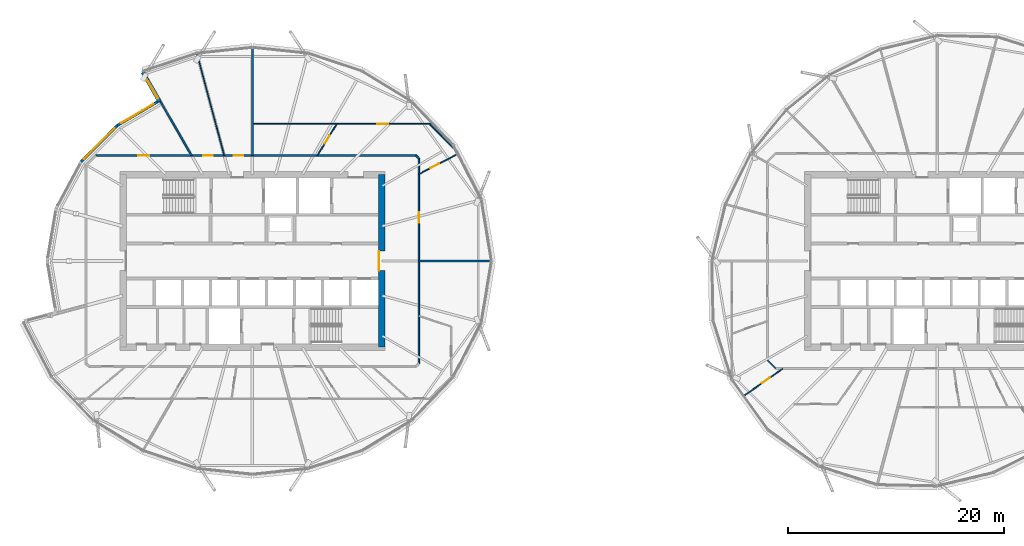
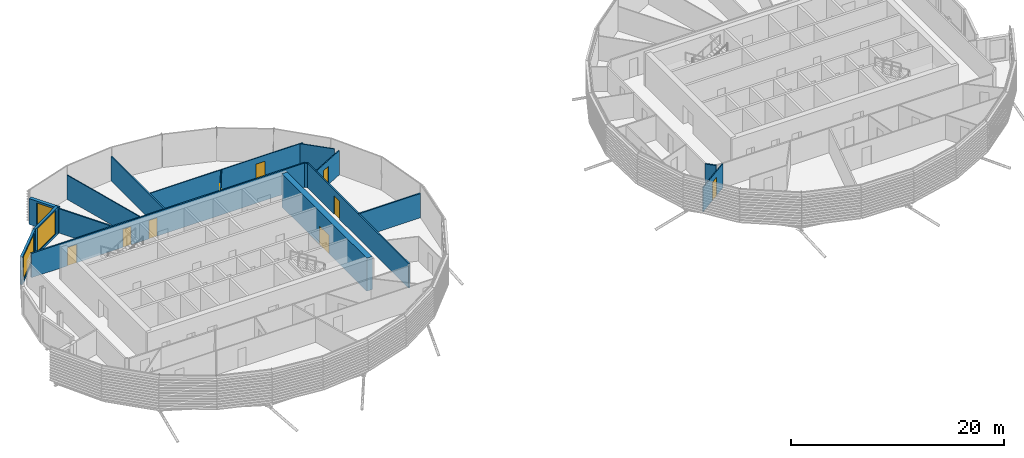
# One storey, part 20 of 37: 17 walls, 9 doors, 3 windows, 12 openings.
"""IFC4 building model written with IfcOpenShell, lengths in metres."""

from ifc_helpers import new_model, si_unit, direction, frame, frame_2d, origin, place, context, subcontext, project, spatial, rectangle, extrude, material, layer, layer_set, type_object, element, fill, save


model = new_model("IFC4")

# Units and contexts
model_context = context("Model", 3, precision=1e-05, world=origin(), true_north=direction((0.0, 1.0)))
body_context = subcontext(model_context, "Body", "Model", "MODEL_VIEW")
ifc_project = project(units=[si_unit("LENGTHUNIT", "METRE"), si_unit("AREAUNIT", "SQUARE_METRE"), si_unit("VOLUMEUNIT", "CUBIC_METRE"), si_unit("PLANEANGLEUNIT", "RADIAN"), si_unit("MASSUNIT", "GRAM", prefix="KILO")], contexts=[model_context])

# Site, building, storey
site_placement = place(None, origin())
site = spatial("IfcSite", under=ifc_project, at=site_placement, CompositionType="ELEMENT")
building_placement = place(site_placement, origin())
building = spatial("IfcBuilding", under=site, at=building_placement, Name="Rimbun Link Towers", CompositionType="ELEMENT")
storey_placement = place(building_placement, frame((0.0, 0.0, 177.89990234375)))
storey = spatial("IfcBuildingStorey", under=building, at=storey_placement, Name="L43", CompositionType="ELEMENT", Elevation=177.89990234375)

# Wall, opening, window
ifc_material_1 = material(Name="Dark enamelled glass spandrel on insulated aluminium backpan", Category="aluminium")
ifc_layer_1 = layer(ifc_material_1, 0.25)
ifc_layer_set_1 = layer_set([ifc_layer_1], Name="CS dark enamelled spandrel wall 250")
wall_type_1 = type_object("IfcWallType", Name="CS dark enamelled spandrel wall 250", PredefinedType="STANDARD", material=ifc_layer_set_1)
wall_1_placement = place(storey_placement, frame((-44.295654296875, 12.568115234375, 0.0), z_axis=(0.0, 0.0, 1.0), x_axis=(0.861951603812, 0.506990564691, 0.0)))
wall_1 = element("IfcWall", 1, at=wall_1_placement, inside=storey, type_object=wall_type_1, Name="Crease spandrel wall", PredefinedType="STANDARD", context=body_context, shape_type="SweptSolid", body=[
    extrude(rectangle(XDim=4.3310546875, YDim=0.25, at=frame_2d((2.16552734375, 0.0))), origin(), (0.0, 0.0, 1.0), 3.186767578125),
])
opening_1_placement = place(wall_1_placement, frame((0.41552734375, 0.0, 0.300048828125)))
opening_1 = element("IfcOpeningElement", 2, at=opening_1_placement, cuts=wall_1, Name="Opening WR35H270", PredefinedType="OPENING", context=body_context, shape_type="SweptSolid", body=[
    extrude(rectangle(XDim=3.5, YDim=2.699951171875, at=frame_2d((1.75, 1.35009765625))), frame((0.0, 0.135009765625, 0.0), z_axis=(0.0, -1.0, 0.0), x_axis=(1.0, 0.0, 0.0)), (0.0, 0.0, 1.0), 0.27001953125),
])
ifc_material_2 = material(Name="Aluminium framed fixed window, dark tinted low-e glass", Category="aluminium")
window_type_1 = type_object("IfcWindowType", Name="WR ribbon window 3500X2700", PartitioningType="SINGLE_PANEL", PredefinedType="WINDOW", material=ifc_material_2)
window_1_placement = place(opening_1_placement, origin())
window_1 = element("IfcWindow", 3, at=window_1_placement, inside=storey, type_object=window_type_1, Name="Crease ribbon window", OverallHeight=2.699951171875, OverallWidth=3.5, PartitioningType="SINGLE_PANEL", PredefinedType="WINDOW", context=body_context, shape_type="SweptSolid", body=[
    extrude(rectangle(XDim=3.5, YDim=2.699951171875, at=frame_2d((1.75, 1.35009765625))), frame((0.0, 0.030029296875, 0.0), z_axis=(0.0, -1.0, 0.0), x_axis=(1.0, 0.0, 0.0)), (0.0, 0.0, 1.0), 0.06005859375),
])
fill(opening_1, window_1)

wall_2_placement = place(storey_placement, frame((-47.65380859375, 9.19873046875, 0.0), z_axis=(0.0, 0.0, 1.0), x_axis=(0.705925404514, 0.7082861874, 0.0)))
wall_2 = element("IfcWall", 4, at=wall_2_placement, inside=storey, type_object=wall_type_1, Name="Crease spandrel wall", PredefinedType="STANDARD", context=body_context, shape_type="SweptSolid", body=[
    extrude(rectangle(XDim=4.757080078125, YDim=0.25, at=frame_2d((2.37841796875, 0.0))), origin(), (0.0, 0.0, 1.0), 3.186767578125),
])
opening_2_placement = place(wall_2_placement, frame((0.37841796875, 0.0, 0.300048828125)))
opening_2 = element("IfcOpeningElement", 5, at=opening_2_placement, cuts=wall_2, Name="Opening WR40H270", PredefinedType="OPENING", context=body_context, shape_type="SweptSolid", body=[
    extrude(rectangle(XDim=4.0, YDim=2.699951171875, at=frame_2d((2.0, 1.35009765625))), frame((0.0, 0.135009765625, 0.0), z_axis=(0.0, -1.0, 0.0), x_axis=(1.0, 0.0, 0.0)), (0.0, 0.0, 1.0), 0.27001953125),
])
ifc_material_3 = material(Name="Aluminium framed fixed window, dark tinted low-e glass", Category="aluminium")
window_type_2 = type_object("IfcWindowType", Name="WR ribbon window 4000X2700", PartitioningType="SINGLE_PANEL", PredefinedType="WINDOW", material=ifc_material_3)
window_2_placement = place(opening_2_placement, origin())
window_2 = element("IfcWindow", 6, at=window_2_placement, inside=storey, type_object=window_type_2, Name="Crease ribbon window", OverallHeight=2.699951171875, OverallWidth=4.0, PartitioningType="SINGLE_PANEL", PredefinedType="WINDOW", context=body_context, shape_type="SweptSolid", body=[
    extrude(rectangle(XDim=4.0, YDim=2.699951171875, at=frame_2d((2.0, 1.35009765625))), frame((0.0, 0.030029296875, 0.0), z_axis=(0.0, -1.0, 0.0), x_axis=(1.0, 0.0, 0.0)), (0.0, 0.0, 1.0), 0.06005859375),
])
fill(opening_2, window_2)

ifc_material_4 = material(Name="Dark enamelled glass spandrel on insulated aluminium backpan", Category="aluminium")
ifc_layer_2 = layer(ifc_material_4, 0.3701171875)
ifc_layer_set_2 = layer_set([ifc_layer_2], Name="CS dark enamelled spandrel wall 370")
wall_type_2 = type_object("IfcWallType", Name="CS dark enamelled spandrel wall 370", PredefinedType="STANDARD", material=ifc_layer_set_2)
wall_3_placement = place(storey_placement, frame((-40.3408203125, 14.749755859375, 0.0), z_axis=(0.0, 0.0, 1.0), x_axis=(-0.50002815445, 0.866009148195, 0.0)))
wall_3 = element("IfcWall", 7, at=wall_3_placement, inside=storey, type_object=wall_type_2, Name="Crease spandrel wall", PredefinedType="STANDARD", context=body_context, shape_type="SweptSolid", body=[
    extrude(rectangle(XDim=3.179931640625, YDim=0.3701171875, at=frame_2d((1.58984375, 0.0))), origin(), (0.0, 0.0, 1.0), 2.95654296875),
])
opening_3_placement = place(wall_3_placement, frame((0.35546875, 0.0, 0.300048828125)))
opening_3 = element("IfcOpeningElement", 8, at=opening_3_placement, cuts=wall_3, Name="Opening WR20H245", PredefinedType="OPENING", context=body_context, shape_type="SweptSolid", body=[
    extrude(rectangle(XDim=2.0, YDim=2.449951171875, at=frame_2d((1.0, 1.22509765625))), frame((0.0, 0.195068359375, 0.0), z_axis=(0.0, -1.0, 0.0), x_axis=(1.0, 0.0, 0.0)), (0.0, 0.0, 1.0), 0.39013671875),
])
ifc_material_5 = material(Name="Aluminium framed fixed window, dark tinted low-e glass", Category="aluminium")
window_type_3 = type_object("IfcWindowType", Name="WR ribbon window 2000X2450", PartitioningType="SINGLE_PANEL", PredefinedType="WINDOW", material=ifc_material_5)
window_3_placement = place(opening_3_placement, origin())
window_3 = element("IfcWindow", 9, at=window_3_placement, inside=storey, type_object=window_type_3, Name="Crease ribbon window", OverallHeight=2.449951171875, OverallWidth=2.0, PartitioningType="SINGLE_PANEL", PredefinedType="WINDOW", context=body_context, shape_type="SweptSolid", body=[
    extrude(rectangle(XDim=2.0, YDim=2.449951171875, at=frame_2d((1.0, 1.22509765625))), frame((0.0, 0.030029296875, 0.0), z_axis=(0.0, -1.0, 0.0), x_axis=(1.0, 0.0, 0.0)), (0.0, 0.0, 1.0), 0.06005859375),
])
fill(opening_3, window_3)

# Wall, opening, door
ifc_material_6 = material(Name="Concrete C60/75", Category="concrete")
ifc_layer_3 = layer(ifc_material_6, 0.60009765625)
ifc_layer_set_3 = layer_set([ifc_layer_3], Name="Core shear wall 600")
wall_type_3 = type_object("IfcWallType", Name="Core shear wall 600", PredefinedType="SHEAR", material=ifc_layer_set_3)
wall_4_placement = place(storey_placement, frame((-19.75, -8.0, 0.0), z_axis=(0.0, 0.0, 1.0), x_axis=(0.0, 1.0, 0.0)))
wall_4 = element("IfcWall", 10, at=wall_4_placement, inside=storey, type_object=wall_type_3, Name="L43 T1 core wall E", PredefinedType="SHEAR", context=body_context, shape_type="SweptSolid", body=[
    extrude(rectangle(XDim=16.0, YDim=0.60009765625, at=frame_2d((8.0, 0.0))), origin(), (0.0, 0.0, 1.0), 3.800048828125),
])
opening_4_placement = place(wall_4_placement, frame((7.10009765625, 0.0, 0.0)))
opening_4 = element("IfcOpeningElement", 11, at=opening_4_placement, cuts=wall_4, Name="Opening C1DCL01E", PredefinedType="OPENING", context=body_context, shape_type="SweptSolid", body=[
    extrude(rectangle(XDim=1.800048828125, YDim=2.10009765625, at=frame_2d((0.89990234375, 1.050048828125))), frame((0.0, 0.31005859375, 0.0), z_axis=(0.0, -1.0, 0.0), x_axis=(1.0, 0.0, 0.0)), (0.0, 0.0, 1.0), 0.6201171875),
])
ifc_material_7 = material(Name="Steel fire door set", Category="steel")
door_type_1 = type_object("IfcDoorType", Name="Core lobby door double", OperationType="DOUBLE_DOOR_SINGLE_SWING", PredefinedType="DOOR", material=ifc_material_7)
door_1_placement = place(opening_4_placement, origin())
door_1 = element("IfcDoor", 12, at=door_1_placement, inside=storey, type_object=door_type_1, Name="L43 T1 lift lobby door", OperationType="DOUBLE_DOOR_SINGLE_SWING", OverallHeight=2.10009765625, OverallWidth=1.800048828125, PredefinedType="DOOR", context=body_context, shape_type="SweptSolid", body=[
    extrude(rectangle(XDim=1.800048828125, YDim=2.10009765625, at=frame_2d((0.89990234375, 1.050048828125))), frame((0.0, 0.2998046875, 0.0), z_axis=(0.0, -1.0, 0.0), x_axis=(1.0, 0.0, 0.0)), (0.0, 0.0, 1.0), 0.050048828125),
])
fill(opening_4, door_1)

# Wall
ifc_material_8 = material(Name="Plasterboard on steel stud, mineral wool", Category="steel")
ifc_layer_4 = layer(ifc_material_8, 0.14990234375)
ifc_layer_set_4 = layer_set([ifc_layer_4], Name="Corridor wall EI 30 150 mm")
wall_type_4 = type_object("IfcWallType", Name="Corridor wall EI 30 150 mm", PredefinedType="PARTITIONING", material=ifc_layer_set_4)
wall_5_placement = place(storey_placement, frame((-16.31494140625, 9.513671875, 0.0), z_axis=(0.0, 0.0, 1.0), x_axis=(-0.707436973419, 0.706776434695, 0.0)))
element("IfcWall", 13, at=wall_5_placement, inside=storey, type_object=wall_type_4, Name="Corridor wall EI 30 150 mm", PredefinedType="PARTITIONING", context=body_context, shape_type="SweptSolid", body=[
    extrude(rectangle(XDim=0.36962890625, YDim=0.14990234375, at=frame_2d((0.184814453125, 0.0))), origin(), (0.0, 0.0, 1.0), 2.7890625),
])

# Wall, opening, door
wall_6_placement = place(storey_placement, frame((-16.31494140625, 9.513671875, 0.0), z_axis=(0.0, 0.0, 1.0), x_axis=(0.0, -1.0, 0.0)))
wall_6 = element("IfcWall", 14, at=wall_6_placement, inside=storey, type_object=wall_type_4, Name="Corridor wall EI 30 150 mm", PredefinedType="PARTITIONING", context=body_context, shape_type="SweptSolid", body=[
    extrude(rectangle(XDim=19.02734375, YDim=0.14990234375, at=frame_2d((9.513671875, 0.0))), origin(), (0.0, 0.0, 1.0), 2.7890625),
])
opening_5_placement = place(wall_6_placement, frame((4.9921875, 0.0, 0.0)))
opening_5 = element("IfcOpeningElement", 15, at=opening_5_placement, cuts=wall_6, Name="Opening D01", PredefinedType="OPENING", context=body_context, shape_type="SweptSolid", body=[
    extrude(rectangle(XDim=1.0, YDim=2.10009765625, at=frame_2d((0.5, 1.050048828125))), frame((0.0, 0.0849609375, 0.0), z_axis=(0.0, -1.0, 0.0), x_axis=(1.0, 0.0, 0.0)), (0.0, 0.0, 1.0), 0.169921875),
])
ifc_material_9 = material(Name="Fire-resisting timber door leaf", Category="wood")
door_type_2 = type_object("IfcDoorType", Name="Fire door FD30S 1000", OperationType="NOTDEFINED", PredefinedType="DOOR", material=ifc_material_9)
door_2_placement = place(opening_5_placement, origin())
door_2 = element("IfcDoor", 16, at=door_2_placement, inside=storey, type_object=door_type_2, Name="Fire door FD30S 1000 to Tenant lobby", OperationType="SINGLE_SWING_LEFT", OverallHeight=2.10009765625, OverallWidth=1.0, PredefinedType="DOOR", context=body_context, shape_type="SweptSolid", body=[
    extrude(rectangle(XDim=1.0, YDim=2.10009765625, at=frame_2d((0.5, 1.050048828125))), frame((0.0, 0.02490234375, 0.0), z_axis=(0.0, -1.0, 0.0), x_axis=(1.0, 0.0, 0.0)), (0.0, 0.0, 1.0), 0.050048828125),
])
fill(opening_5, door_2)

# Wall, openings, doors
wall_7_placement = place(storey_placement, frame((-46.267578125, 9.77490234375, 0.0), z_axis=(0.0, 0.0, 1.0), x_axis=(1.0, 0.0, 0.0)))
wall_7 = element("IfcWall", 17, at=wall_7_placement, inside=storey, type_object=wall_type_4, Name="Corridor wall EI 30 150 mm", PredefinedType="PARTITIONING", context=body_context, shape_type="SweptSolid", body=[
    extrude(rectangle(XDim=29.691162109375, YDim=0.14990234375, at=frame_2d((14.845703125, 0.0))), origin(), (0.0, 0.0, 1.0), 2.7890625),
])
opening_6_placement = place(wall_7_placement, frame((12.758056640625, 0.0, 0.0)))
opening_6 = element("IfcOpeningElement", 18, at=opening_6_placement, cuts=wall_7, Name="Opening D02", PredefinedType="OPENING", context=body_context, shape_type="SweptSolid", body=[
    extrude(rectangle(XDim=0.89990234375, YDim=2.10009765625, at=frame_2d((0.449951171875, 1.050048828125))), frame((0.0, 0.0849609375, 0.0), z_axis=(0.0, -1.0, 0.0), x_axis=(1.0, 0.0, 0.0)), (0.0, 0.0, 1.0), 0.169921875),
])
opening_7_placement = place(wall_7_placement, frame((9.936279296875, 0.0, 0.0)))
opening_7 = element("IfcOpeningElement", 19, at=opening_7_placement, cuts=wall_7, Name="Opening D02", PredefinedType="OPENING", context=body_context, shape_type="SweptSolid", body=[
    extrude(rectangle(XDim=0.89990234375, YDim=2.10009765625, at=frame_2d((0.449951171875, 1.050048828125))), frame((0.0, 0.0849609375, 0.0), z_axis=(0.0, -1.0, 0.0), x_axis=(1.0, 0.0, 0.0)), (0.0, 0.0, 1.0), 0.169921875),
])
opening_8_placement = place(wall_7_placement, frame((3.93701171875, 0.0, 0.0)))
opening_8 = element("IfcOpeningElement", 20, at=opening_8_placement, cuts=wall_7, Name="Opening D01", PredefinedType="OPENING", context=body_context, shape_type="SweptSolid", body=[
    extrude(rectangle(XDim=1.0, YDim=2.10009765625, at=frame_2d((0.5, 1.050048828125))), frame((0.0, 0.0849609375, 0.0), z_axis=(0.0, -1.0, 0.0), x_axis=(1.0, 0.0, 0.0)), (0.0, 0.0, 1.0), 0.169921875),
])
door_3_placement = place(opening_8_placement, origin())
door_3 = element("IfcDoor", 21, at=door_3_placement, inside=storey, type_object=door_type_2, Name="Fire door FD30S 1000 to Terrace office", OperationType="SINGLE_SWING_RIGHT", OverallHeight=2.10009765625, OverallWidth=1.0, PredefinedType="DOOR", context=body_context, shape_type="SweptSolid", body=[
    extrude(rectangle(XDim=1.0, YDim=2.10009765625, at=frame_2d((0.5, 1.050048828125))), frame((0.0, 0.02490234375, 0.0), z_axis=(0.0, -1.0, 0.0), x_axis=(1.0, 0.0, 0.0)), (0.0, 0.0, 1.0), 0.050048828125),
])
fill(opening_8, door_3)
ifc_material_10 = material(Name="Fire-resisting timber door leaf", Category="wood")
door_type_3 = type_object("IfcDoorType", Name="Fire door FD30S 900", OperationType="NOTDEFINED", PredefinedType="DOOR", material=ifc_material_10)
door_4_placement = place(opening_6_placement, origin())
door_4 = element("IfcDoor", 22, at=door_4_placement, inside=storey, type_object=door_type_3, Name="Fire door FD30S 900 to Training room", OperationType="SINGLE_SWING_RIGHT", OverallHeight=2.10009765625, OverallWidth=0.89990234375, PredefinedType="DOOR", context=body_context, shape_type="SweptSolid", body=[
    extrude(rectangle(XDim=0.89990234375, YDim=2.10009765625, at=frame_2d((0.449951171875, 1.050048828125))), frame((0.0, 0.02490234375, 0.0), z_axis=(0.0, -1.0, 0.0), x_axis=(1.0, 0.0, 0.0)), (0.0, 0.0, 1.0), 0.050048828125),
])
fill(opening_6, door_4)
door_5_placement = place(opening_7_placement, origin())
door_5 = element("IfcDoor", 23, at=door_5_placement, inside=storey, type_object=door_type_3, Name="Fire door FD30S 900 to Meeting room", OperationType="SINGLE_SWING_LEFT", OverallHeight=2.10009765625, OverallWidth=0.89990234375, PredefinedType="DOOR", context=body_context, shape_type="SweptSolid", body=[
    extrude(rectangle(XDim=0.89990234375, YDim=2.10009765625, at=frame_2d((0.449951171875, 1.050048828125))), frame((0.0, 0.02490234375, 0.0), z_axis=(0.0, -1.0, 0.0), x_axis=(1.0, 0.0, 0.0)), (0.0, 0.0, 1.0), 0.050048828125),
])
fill(opening_7, door_5)

# Wall
wall_8_placement = place(storey_placement, frame((16.014892578125, -9.213623046875, 0.0), z_axis=(0.0, 0.0, 1.0), x_axis=(0.707106781187, -0.707106781187, 0.0)))
element("IfcWall", 24, at=wall_8_placement, inside=storey, type_object=wall_type_4, Name="Corridor wall EI 30 150 mm", PredefinedType="PARTITIONING", context=body_context, shape_type="SweptSolid", body=[
    extrude(rectangle(XDim=1.076904296875, YDim=0.14990234375, at=frame_2d((0.53857421875, 0.0))), origin(), (0.0, 0.0, 1.0), 2.7890625),
])

# Wall, opening, door
ifc_material_11 = material(Name="Plasterboard on steel stud", Category="steel")
ifc_layer_5 = layer(ifc_material_11, 0.10009765625)
ifc_layer_set_5 = layer_set([ifc_layer_5], Name="Plasterboard partition 100 mm")
wall_type_5 = type_object("IfcWallType", Name="Plasterboard partition 100 mm", PredefinedType="PARTITIONING", material=ifc_layer_set_5)
wall_9_placement = place(storey_placement, frame((-16.31494140625, 8.042724609375, 0.0), z_axis=(0.0, 0.0, 1.0), x_axis=(0.886835045354, 0.46208614168, 0.0)))
wall_9 = element("IfcWall", 25, at=wall_9_placement, inside=storey, type_object=wall_type_5, Name="Plasterboard partition 100 mm", PredefinedType="PARTITIONING", context=body_context, shape_type="SweptSolid", body=[
    extrude(rectangle(XDim=4.034423828125, YDim=0.10009765625, at=frame_2d((2.01708984375, 0.0))), origin(), (0.0, 0.0, 1.0), 2.7890625),
])
opening_9_placement = place(wall_9_placement, frame((1.20751953125, 0.0, 0.0)))
opening_9 = element("IfcOpeningElement", 26, at=opening_9_placement, cuts=wall_9, Name="Opening D04", PredefinedType="OPENING", context=body_context, shape_type="SweptSolid", body=[
    extrude(rectangle(XDim=0.89990234375, YDim=2.10009765625, at=frame_2d((0.449951171875, 1.050048828125))), frame((0.0, 0.06005859375, 0.0), z_axis=(0.0, -1.0, 0.0), x_axis=(1.0, 0.0, 0.0)), (0.0, 0.0, 1.0), 0.1201171875),
])
ifc_material_12 = material(Name="Timber door leaf", Category="wood")
door_type_4 = type_object("IfcDoorType", Name="Flush door 900", OperationType="NOTDEFINED", PredefinedType="DOOR", material=ifc_material_12)
door_6_placement = place(opening_9_placement, origin())
door_6 = element("IfcDoor", 27, at=door_6_placement, inside=storey, type_object=door_type_4, Name="Flush door 900 to Data room", OperationType="SINGLE_SWING_RIGHT", OverallHeight=2.10009765625, OverallWidth=0.89990234375, PredefinedType="DOOR", context=body_context, shape_type="SweptSolid", body=[
    extrude(rectangle(XDim=0.89990234375, YDim=2.10009765625, at=frame_2d((0.449951171875, 1.050048828125))), frame((0.0, 0.02490234375, 0.0), z_axis=(0.0, -1.0, 0.0), x_axis=(1.0, 0.0, 0.0)), (0.0, 0.0, 1.0), 0.050048828125),
])
fill(opening_9, door_6)

wall_10_placement = place(storey_placement, frame((-25.73388671875, 9.77490234375, 0.0), z_axis=(0.0, 0.0, 1.0), x_axis=(0.524093480001, 0.851660744792, 0.0)))
wall_10 = element("IfcWall", 28, at=wall_10_placement, inside=storey, type_object=wall_type_5, Name="Plasterboard partition 100 mm", PredefinedType="PARTITIONING", context=body_context, shape_type="SweptSolid", body=[
    extrude(rectangle(XDim=3.452392578125, YDim=0.10009765625, at=frame_2d((1.72607421875, 0.0))), origin(), (0.0, 0.0, 1.0), 2.7890625),
])
opening_10_placement = place(wall_10_placement, frame((1.276123046875, 0.0, 0.0)))
opening_10 = element("IfcOpeningElement", 29, at=opening_10_placement, cuts=wall_10, Name="Opening D04", PredefinedType="OPENING", context=body_context, shape_type="SweptSolid", body=[
    extrude(rectangle(XDim=0.89990234375, YDim=2.10009765625, at=frame_2d((0.449951171875, 1.050048828125))), frame((0.0, 0.06005859375, 0.0), z_axis=(0.0, -1.0, 0.0), x_axis=(1.0, 0.0, 0.0)), (0.0, 0.0, 1.0), 0.1201171875),
])
door_7_placement = place(opening_10_placement, origin())
door_7 = element("IfcDoor", 30, at=door_7_placement, inside=storey, type_object=door_type_4, Name="Flush door 900 to Communications room", OperationType="SINGLE_SWING_LEFT", OverallHeight=2.10009765625, OverallWidth=0.89990234375, PredefinedType="DOOR", context=body_context, shape_type="SweptSolid", body=[
    extrude(rectangle(XDim=0.89990234375, YDim=2.10009765625, at=frame_2d((0.449951171875, 1.050048828125))), frame((0.0, 0.02490234375, 0.0), z_axis=(0.0, -1.0, 0.0), x_axis=(1.0, 0.0, 0.0)), (0.0, 0.0, 1.0), 0.050048828125),
])
fill(opening_10, door_7)

wall_11_placement = place(storey_placement, frame((-31.75, 12.715087890625, 0.0), z_axis=(0.0, 0.0, 1.0), x_axis=(1.0, 0.0, 0.0)))
wall_11 = element("IfcWall", 31, at=wall_11_placement, inside=storey, type_object=wall_type_5, Name="Plasterboard partition 100 mm", PredefinedType="PARTITIONING", context=body_context, shape_type="SweptSolid", body=[
    extrude(rectangle(XDim=16.67919921875, YDim=0.10009765625, at=frame_2d((8.339599609375, 0.0))), origin(), (0.0, 0.0, 1.0), 2.7890625),
])
opening_11_placement = place(wall_11_placement, frame((11.5908203125, 0.0, 0.0)))
opening_11 = element("IfcOpeningElement", 32, at=opening_11_placement, cuts=wall_11, Name="Opening D03", PredefinedType="OPENING", context=body_context, shape_type="SweptSolid", body=[
    extrude(rectangle(XDim=1.0, YDim=2.10009765625, at=frame_2d((0.5, 1.050048828125))), frame((0.0, 0.06005859375, 0.0), z_axis=(0.0, -1.0, 0.0), x_axis=(1.0, 0.0, 0.0)), (0.0, 0.0, 1.0), 0.1201171875),
])
ifc_material_13 = material(Name="Timber door leaf", Category="wood")
door_type_5 = type_object("IfcDoorType", Name="Flush door 1000", OperationType="NOTDEFINED", PredefinedType="DOOR", material=ifc_material_13)
door_8_placement = place(opening_11_placement, origin())
door_8 = element("IfcDoor", 33, at=door_8_placement, inside=storey, type_object=door_type_5, Name="Flush door 1000 to Trading floor", OperationType="SINGLE_SWING_RIGHT", OverallHeight=2.10009765625, OverallWidth=1.0, PredefinedType="DOOR", context=body_context, shape_type="SweptSolid", body=[
    extrude(rectangle(XDim=1.0, YDim=2.10009765625, at=frame_2d((0.5, 1.050048828125))), frame((0.0, 0.02490234375, 0.0), z_axis=(0.0, -1.0, 0.0), x_axis=(1.0, 0.0, 0.0)), (0.0, 0.0, 1.0), 0.050048828125),
])
fill(opening_11, door_8)

# Walls
wall_12_placement = place(storey_placement, frame((-12.96142578125, 10.31787109375, 0.0), z_axis=(0.0, 0.0, 1.0), x_axis=(-0.707070771369, 0.70714278917, 0.0)))
element("IfcWall", 34, at=wall_12_placement, inside=storey, type_object=wall_type_5, Name="Plasterboard partition 100 mm", PredefinedType="PARTITIONING", context=body_context, shape_type="SweptSolid", body=[
    extrude(rectangle(XDim=3.389892578125, YDim=0.10009765625, at=frame_2d((1.69482421875, 0.0))), origin(), (0.0, 0.0, 1.0), 2.7890625),
])
wall_13_placement = place(storey_placement, frame((-36.896484375, 19.20654296875, 0.0), z_axis=(0.0, 0.0, 1.0), x_axis=(0.258832734057, -0.965922158241, 0.0)))
element("IfcWall", 35, at=wall_13_placement, inside=storey, type_object=wall_type_5, Name="Plasterboard partition 100 mm", PredefinedType="PARTITIONING", context=body_context, shape_type="SweptSolid", body=[
    extrude(rectangle(XDim=9.764404296875, YDim=0.10009765625, at=frame_2d((4.88232421875, 0.0))), origin(), (0.0, 0.0, 1.0), 2.7890625),
])

# Wall, opening, door
wall_14_placement = place(storey_placement, frame((17.415771484375, -10.0048828125, 0.0), z_axis=(0.0, 0.0, 1.0), x_axis=(-0.819993771432, -0.572372444141, 0.0)))
wall_14 = element("IfcWall", 36, at=wall_14_placement, inside=storey, type_object=wall_type_5, Name="Plasterboard partition 100 mm", PredefinedType="PARTITIONING", context=body_context, shape_type="SweptSolid", body=[
    extrude(rectangle(XDim=4.36181640625, YDim=0.10009765625, at=frame_2d((2.180908203125, 0.0))), origin(), (0.0, 0.0, 1.0), 2.7890625),
])
opening_12_placement = place(wall_14_placement, frame((1.41845703125, 0.0, 0.0)))
opening_12 = element("IfcOpeningElement", 37, at=opening_12_placement, cuts=wall_14, Name="Opening D04", PredefinedType="OPENING", context=body_context, shape_type="SweptSolid", body=[
    extrude(rectangle(XDim=0.89990234375, YDim=2.10009765625, at=frame_2d((0.449951171875, 1.050048828125))), frame((0.0, 0.06005859375, 0.0), z_axis=(0.0, -1.0, 0.0), x_axis=(1.0, 0.0, 0.0)), (0.0, 0.0, 1.0), 0.1201171875),
])
door_9_placement = place(opening_12_placement, origin())
door_9 = element("IfcDoor", 38, at=door_9_placement, inside=storey, type_object=door_type_4, Name="Flush door 900 to Huddle room", OperationType="SINGLE_SWING_LEFT", OverallHeight=2.10009765625, OverallWidth=0.89990234375, PredefinedType="DOOR", context=body_context, shape_type="SweptSolid", body=[
    extrude(rectangle(XDim=0.89990234375, YDim=2.10009765625, at=frame_2d((0.449951171875, 1.050048828125))), frame((0.0, 0.02490234375, 0.0), z_axis=(0.0, -1.0, 0.0), x_axis=(1.0, 0.0, 0.0)), (0.0, 0.0, 1.0), 0.050048828125),
])
fill(opening_12, door_9)

# Walls
ifc_material_14 = material(Name="Plasterboard on steel stud, mineral wool", Category="steel")
ifc_layer_6 = layer(ifc_material_14, 0.14990234375)
ifc_layer_set_6 = layer_set([ifc_layer_6], Name="Tenancy separation wall EI 60 150 mm")
wall_type_6 = type_object("IfcWallType", Name="Tenancy separation wall EI 60 150 mm", PredefinedType="PARTITIONING", material=ifc_layer_set_6)
wall_15_placement = place(storey_placement, frame((-16.31494140625, 0.0, 0.0), z_axis=(0.0, 0.0, 1.0), x_axis=(1.0, 0.0, 0.0)))
element("IfcWall", 39, at=wall_15_placement, inside=storey, type_object=wall_type_6, Name="Tenancy separation wall EI 60 150 mm", PredefinedType="PARTITIONING", context=body_context, shape_type="SweptSolid", body=[
    extrude(rectangle(XDim=6.683349609375, YDim=0.14990234375, at=frame_2d((3.341796875, 0.0))), origin(), (0.0, 0.0, 1.0), 2.7890625),
])
wall_16_placement = place(storey_placement, frame((-31.75, 9.77490234375, 0.0), z_axis=(0.0, 0.0, 1.0), x_axis=(0.0, 1.0, 0.0)))
element("IfcWall", 40, at=wall_16_placement, inside=storey, type_object=wall_type_6, Name="Tenancy separation wall EI 60 150 mm", PredefinedType="PARTITIONING", context=body_context, shape_type="SweptSolid", body=[
    extrude(rectangle(XDim=9.9736328125, YDim=0.14990234375, at=frame_2d((4.98681640625, 0.0))), origin(), (0.0, 0.0, 1.0), 2.7890625),
])
wall_17_placement = place(storey_placement, frame((-37.3935546875, 9.77490234375, 0.0), z_axis=(0.0, 0.0, 1.0), x_axis=(-0.500017289984, 0.866015421177, 0.0)))
element("IfcWall", 41, at=wall_17_placement, inside=storey, type_object=wall_type_6, Name="Tenancy separation wall EI 60 150 mm", PredefinedType="PARTITIONING", context=body_context, shape_type="SweptSolid", body=[
    extrude(rectangle(XDim=5.781982421875, YDim=0.14990234375, at=frame_2d((2.89111328125, 0.0))), origin(), (0.0, 0.0, 1.0), 2.7890625),
])

save(model, "model.ifc")
